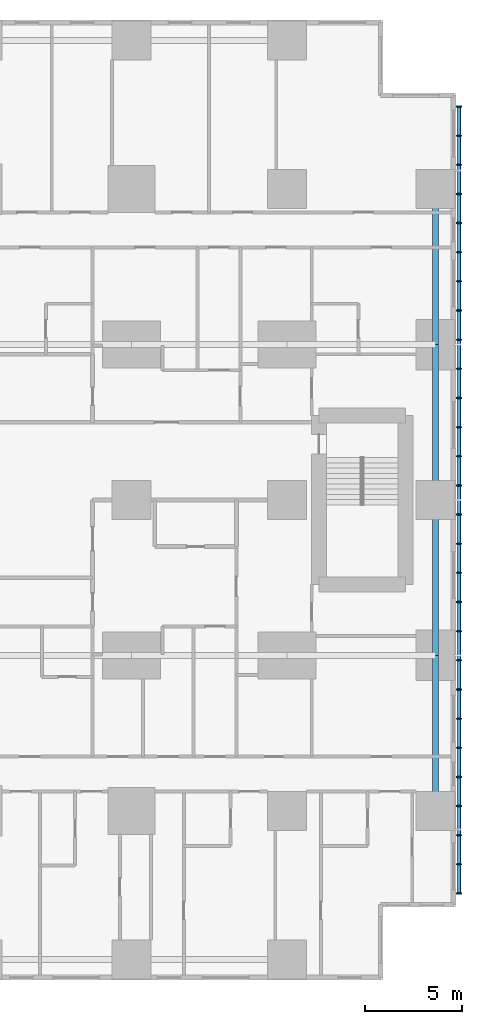
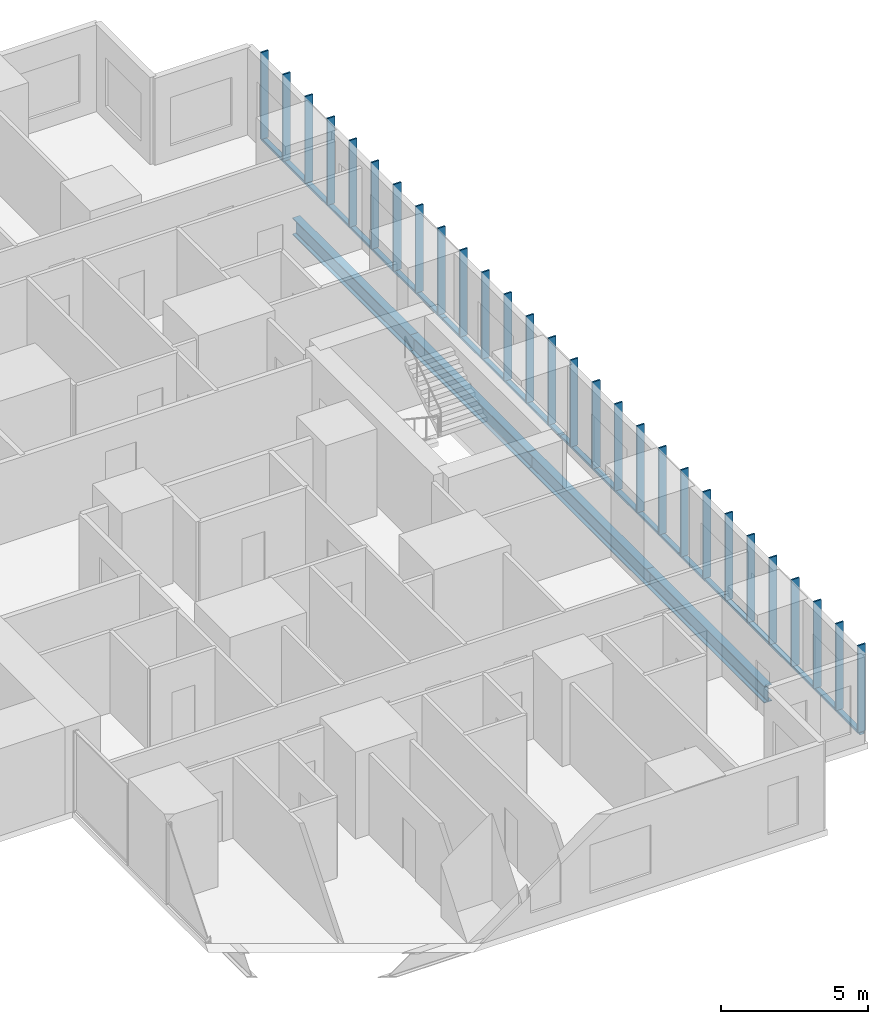
# One storey, part 6 of 20: 32 members, 4 beams.
"""IFC4 building model written with IfcOpenShell, lengths in metres."""

from ifc_helpers import new_model, si_unit, direction, frame, origin, origin_2d, place, context, subcontext, project, spatial, rectangle, hollow_rectangle, i_section, extrude, material, material_profile, profile_set, type_object, element, save


model = new_model("IFC4")

# Units and contexts
model_context = context("Model", 3, precision=1e-05, world=origin(), true_north=direction((0.0, 1.0)))
body_context = subcontext(model_context, "Body", "Model", "MODEL_VIEW")
ifc_project = project(units=[si_unit("LENGTHUNIT", "METRE"), si_unit("AREAUNIT", "SQUARE_METRE"), si_unit("VOLUMEUNIT", "CUBIC_METRE"), si_unit("PLANEANGLEUNIT", "RADIAN"), si_unit("MASSUNIT", "GRAM", prefix="KILO")], contexts=[model_context])

# Site, building, storey
site_placement = place(None, origin())
site = spatial("IfcSite", under=ifc_project, at=site_placement, CompositionType="ELEMENT")
building_placement = place(site_placement, origin())
building = spatial("IfcBuilding", under=site, at=building_placement, Name="Cleftline Residences", CompositionType="ELEMENT")
storey_placement = place(building_placement, frame((0.0, 0.0, 54.800048828125)))
storey = spatial("IfcBuildingStorey", under=building, at=storey_placement, Name="L13", CompositionType="ELEMENT", Elevation=54.800048828125)

# Members
ifc_material_1 = material(Name="Steel S355, hot-dip galvanised", Category="steel")
ifc_material_profile_1 = material_profile(ifc_material_1, hollow_rectangle(XDim=0.10009765625, YDim=0.199951171875, WallThickness=0.008056640625, InnerFilletRadius=0.008056640625, OuterFilletRadius=0.011962890625, at=origin_2d()))
ifc_profile_set_1 = profile_set([ifc_material_profile_1], Name="Steel S355, hot-dip galvanised")
member_type_1 = type_object("IfcMemberType", Name="BAGUETTE CARRIER RHS 200X100X8", PredefinedType="USERDEFINED", material=ifc_profile_set_1)
member_1_placement = place(storey_placement, frame((66.85009765625, 3.699951171875, -0.050048828125), z_axis=(0.0, 1.0, 0.0), x_axis=(0.0, 0.0, 1.0)))
element("IfcMember", 1, at=member_1_placement, inside=storey, type_object=member_type_1, Name="Baguette carrier", ObjectType="BAGUETTE CARRIER", PredefinedType="USERDEFINED", context=body_context, shape_type="SweptSolid", body=[
    extrude(hollow_rectangle(XDim=0.10009765625, YDim=0.199951171875, WallThickness=0.008056640625, InnerFilletRadius=0.008056640625, OuterFilletRadius=0.011962890625, at=origin_2d()), origin(), (0.0, 0.0, 1.0), 12.300048828125),
])
for number, where, z_axis, x_axis, name in (
    (2, (66.85009765625, 16.0, -0.050048828125), (0.0, 1.0, 0.0), (0.0, 0.0, 1.0), "Baguette carrier"),
    (3, (66.85009765625, 24.0, -0.050048828125), (0.0, 1.0, 0.0), (0.0, 0.0, 1.0), "Baguette carrier"),
):
    element("IfcMember", number, at=place(storey_placement, frame(where, z_axis=z_axis, x_axis=x_axis)), inside=storey, type_object=member_type_1, Name=name, ObjectType="BAGUETTE CARRIER", PredefinedType="USERDEFINED", context=body_context, shape_type="SweptSolid", body=[
        extrude(hollow_rectangle(XDim=0.10009765625, YDim=0.199951171875, WallThickness=0.008056640625, InnerFilletRadius=0.008056640625, OuterFilletRadius=0.011962890625, at=origin_2d()), origin(), (0.0, 0.0, 1.0), 8.0),
    ])
member_2_placement = place(storey_placement, frame((66.85009765625, 32.0, -0.050048828125), z_axis=(0.0, 1.0, 0.0), x_axis=(0.0, 0.0, 1.0)))
element("IfcMember", 4, at=member_2_placement, inside=storey, type_object=member_type_1, Name="Baguette carrier", ObjectType="BAGUETTE CARRIER", PredefinedType="USERDEFINED", context=body_context, shape_type="SweptSolid", body=[
    extrude(hollow_rectangle(XDim=0.10009765625, YDim=0.199951171875, WallThickness=0.008056640625, InnerFilletRadius=0.008056640625, OuterFilletRadius=0.011962890625, at=origin_2d()), origin(), (0.0, 0.0, 1.0), 12.300048828125),
])

# Beams
ifc_material_2 = material(Name="Steel S355", Category="steel")
ifc_material_profile_2 = material_profile(ifc_material_2, i_section(OverallWidth=0.300048828125, OverallDepth=0.699951171875, WebThickness=0.01708984375, FlangeThickness=0.031982421875, FilletRadius=0.027099609375, at=origin_2d()))
ifc_profile_set_2 = profile_set([ifc_material_profile_2], Name="Steel S355")
beam_type = type_object("IfcBeamType", Name="BEAM HEB 700", PredefinedType="BEAM", material=ifc_profile_set_2)
for number, where, z_axis, x_axis, name in (
    (5, (65.64990234375, 8.0, -0.60009765625), (0.0, 1.0, 0.0), (-1.0, 0.0, 0.0), "Edge beam"),
    (6, (65.64990234375, 16.0, -0.60009765625), (0.0, 1.0, 0.0), (-1.0, 0.0, 0.0), "Edge beam"),
    (7, (65.64990234375, 24.0, -0.60009765625), (0.0, 1.0, 0.0), (-1.0, 0.0, 0.0), "Edge beam"),
    (8, (65.64990234375, 32.0, -0.60009765625), (0.0, 1.0, 0.0), (-1.0, 0.0, 0.0), "Edge beam"),
):
    element("IfcBeam", number, at=place(storey_placement, frame(where, z_axis=z_axis, x_axis=x_axis)), inside=storey, type_object=beam_type, Name=name, PredefinedType="BEAM", context=body_context, shape_type="SweptSolid", body=[
        extrude(i_section(OverallWidth=0.300048828125, OverallDepth=0.699951171875, WebThickness=0.01708984375, FlangeThickness=0.031982421875, FilletRadius=0.027099609375, at=origin_2d()), origin(), (0.0, 0.0, 1.0), 8.0),
    ])

# Members
ifc_material_3 = material(Name="Extruded terracotta", Category="masonry")
ifc_material_profile_3 = material_profile(ifc_material_3, rectangle(XDim=0.06005859375, YDim=0.300048828125, at=origin_2d()))
ifc_profile_set_3 = profile_set([ifc_material_profile_3], Name="Extruded terracotta")
member_type_2 = type_object("IfcMemberType", Name="TERRACOTTA BAGUETTE 60X300", PredefinedType="USERDEFINED", material=ifc_profile_set_3)
for number, where, z_axis, x_axis, name in (
    (9, (66.85009765625, 3.75, 0.0), (0.0, 0.0, 1.0), (0.0, 1.0, 0.0), "Terracotta baguette"),
    (10, (66.85009765625, 5.25, 0.0), (0.0, 0.0, 1.0), (0.0, 1.0, 0.0), "Terracotta baguette"),
    (11, (66.85009765625, 6.75, 0.0), (0.0, 0.0, 1.0), (0.0, 1.0, 0.0), "Terracotta baguette"),
    (12, (66.85009765625, 8.25, 0.0), (0.0, 0.0, 1.0), (0.0, 1.0, 0.0), "Terracotta baguette"),
    (13, (66.85009765625, 9.75, 0.0), (0.0, 0.0, 1.0), (0.0, 1.0, 0.0), "Terracotta baguette"),
    (14, (66.85009765625, 11.25, 0.0), (0.0, 0.0, 1.0), (0.0, 1.0, 0.0), "Terracotta baguette"),
    (15, (66.85009765625, 12.75, 0.0), (0.0, 0.0, 1.0), (0.0, 1.0, 0.0), "Terracotta baguette"),
    (16, (66.85009765625, 14.25, 0.0), (0.0, 0.0, 1.0), (0.0, 1.0, 0.0), "Terracotta baguette"),
    (17, (66.85009765625, 15.75, 0.0), (0.0, 0.0, 1.0), (0.0, 1.0, 0.0), "Terracotta baguette"),
    (18, (66.85009765625, 17.25, 0.0), (0.0, 0.0, 1.0), (0.0, 1.0, 0.0), "Terracotta baguette"),
    (19, (66.85009765625, 18.75, 0.0), (0.0, 0.0, 1.0), (0.0, 1.0, 0.0), "Terracotta baguette"),
    (20, (66.85009765625, 20.25, 0.0), (0.0, 0.0, 1.0), (0.0, 1.0, 0.0), "Terracotta baguette"),
    (21, (66.85009765625, 21.75, 0.0), (0.0, 0.0, 1.0), (0.0, 1.0, 0.0), "Terracotta baguette"),
    (22, (66.85009765625, 23.25, 0.0), (0.0, 0.0, 1.0), (0.0, 1.0, 0.0), "Terracotta baguette"),
    (23, (66.85009765625, 24.75, 0.0), (0.0, 0.0, 1.0), (0.0, 1.0, 0.0), "Terracotta baguette"),
    (24, (66.85009765625, 26.25, 0.0), (0.0, 0.0, 1.0), (0.0, 1.0, 0.0), "Terracotta baguette"),
    (25, (66.85009765625, 27.75, 0.0), (0.0, 0.0, 1.0), (0.0, 1.0, 0.0), "Terracotta baguette"),
    (26, (66.85009765625, 29.25, 0.0), (0.0, 0.0, 1.0), (0.0, 1.0, 0.0), "Terracotta baguette"),
    (27, (66.85009765625, 30.75, 0.0), (0.0, 0.0, 1.0), (0.0, 1.0, 0.0), "Terracotta baguette"),
    (28, (66.85009765625, 32.25, 0.0), (0.0, 0.0, 1.0), (0.0, 1.0, 0.0), "Terracotta baguette"),
    (29, (66.85009765625, 33.75, 0.0), (0.0, 0.0, 1.0), (0.0, 1.0, 0.0), "Terracotta baguette"),
    (30, (66.85009765625, 35.25, 0.0), (0.0, 0.0, 1.0), (0.0, 1.0, 0.0), "Terracotta baguette"),
    (31, (66.85009765625, 36.75, 0.0), (0.0, 0.0, 1.0), (0.0, 1.0, 0.0), "Terracotta baguette"),
    (32, (66.85009765625, 38.25, 0.0), (0.0, 0.0, 1.0), (0.0, 1.0, 0.0), "Terracotta baguette"),
    (33, (66.85009765625, 39.75, 0.0), (0.0, 0.0, 1.0), (0.0, 1.0, 0.0), "Terracotta baguette"),
    (34, (66.85009765625, 41.25, 0.0), (0.0, 0.0, 1.0), (0.0, 1.0, 0.0), "Terracotta baguette"),
    (35, (66.85009765625, 42.75, 0.0), (0.0, 0.0, 1.0), (0.0, 1.0, 0.0), "Terracotta baguette"),
    (36, (66.85009765625, 44.25, 0.0), (0.0, 0.0, 1.0), (0.0, 1.0, 0.0), "Terracotta baguette"),
):
    element("IfcMember", number, at=place(storey_placement, frame(where, z_axis=z_axis, x_axis=x_axis)), inside=storey, type_object=member_type_2, Name=name, ObjectType="BAGUETTE", PredefinedType="USERDEFINED", context=body_context, shape_type="SweptSolid", body=[
        extrude(rectangle(XDim=0.06005859375, YDim=0.300048828125, at=origin_2d()), origin(), (0.0, 0.0, 1.0), 3.599853515625),
    ])

save(model, "model.ifc")
